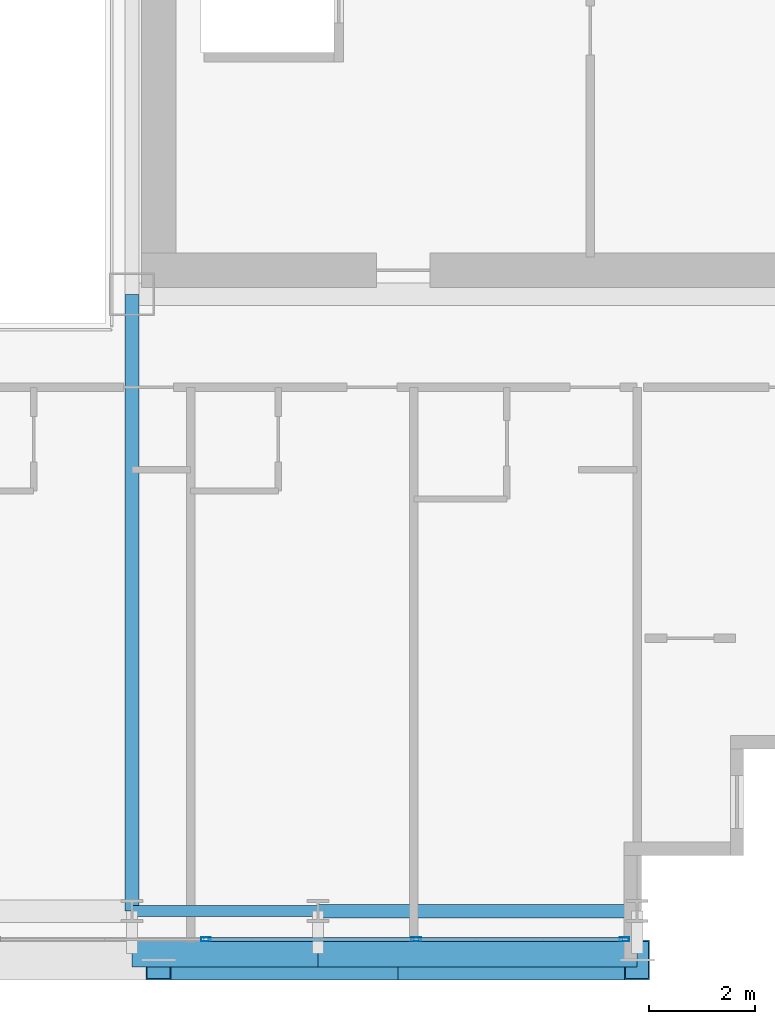
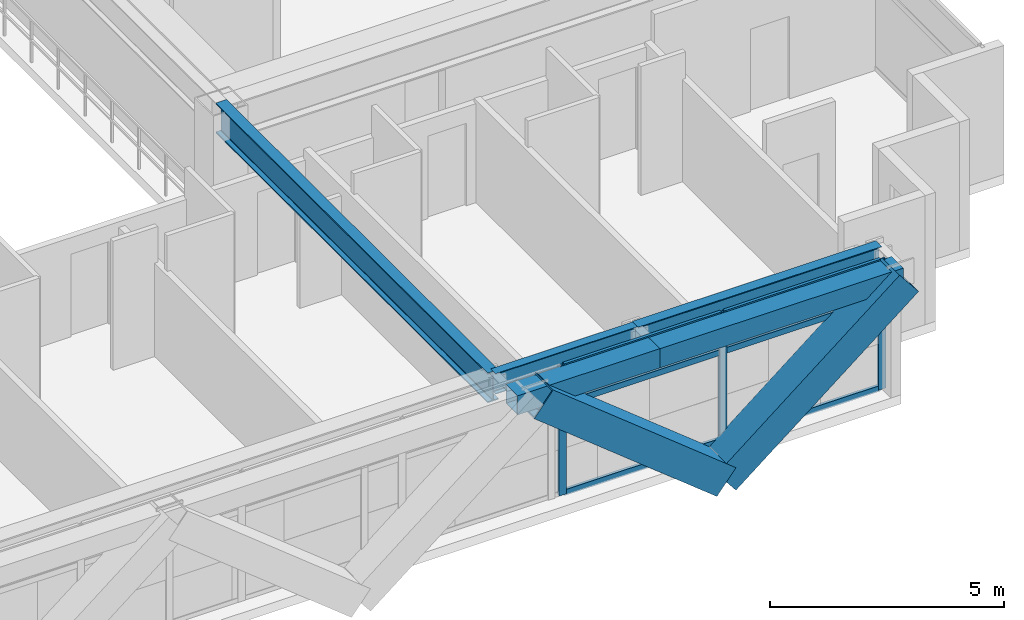
# One storey, part 10 of 35: 11 members, 5 beams, 1 element without a shape of its own.
"""IFC4 building model written with IfcOpenShell, lengths in metres."""

from ifc_helpers import new_model, si_unit, direction, frame, origin, origin_2d, place, context, subcontext, project, spatial, hollow_rectangle, i_section, extrude, source, transform, mapped, material, layer, layer_set, material_profile, profile_set, type_object, element, aggregate, save


model = new_model("IFC4")

# Units and contexts
model_context = context("Model", 3, precision=1e-05, world=origin(), true_north=direction((0.0, 1.0)))
body_context = subcontext(model_context, "Body", "Model", "MODEL_VIEW")
ifc_project = project(units=[si_unit("LENGTHUNIT", "METRE"), si_unit("AREAUNIT", "SQUARE_METRE"), si_unit("VOLUMEUNIT", "CUBIC_METRE"), si_unit("PLANEANGLEUNIT", "RADIAN"), si_unit("MASSUNIT", "GRAM", prefix="KILO")], contexts=[model_context])

# Site, building, storey
site_placement = place(None, origin())
site = spatial("IfcSite", under=ifc_project, at=site_placement, CompositionType="ELEMENT")
building_placement = place(site_placement, origin())
building = spatial("IfcBuilding", under=site, at=building_placement, Name="Ocotamira Hotel", CompositionType="ELEMENT")
storey_placement = place(building_placement, frame((0.0, 0.0, 100.800048828125)))
storey = spatial("IfcBuildingStorey", under=building, at=storey_placement, Name="L24", CompositionType="ELEMENT", Elevation=100.800048828125)

# Beams
ifc_material_1 = material(Name="Steel ASTM A992 Grade 50", Category="steel")
ifc_material_profile_1 = material_profile(ifc_material_1, i_section(OverallWidth=0.256103515625, OverallDepth=0.693115234375, WebThickness=0.014404296875, FlangeThickness=0.023681640625, FilletRadius=0.01611328125, at=origin_2d()), Name="W27X114")
ifc_profile_set_1 = profile_set([ifc_material_profile_1], Name="Steel ASTM A992 Grade 50")
beam_type_1 = type_object("IfcBeamType", Name="BM-PRIM-W27X114", PredefinedType="BEAM", material=ifc_profile_set_1)
shared_shape_1 = source(origin(), body_context, "Body", "SweptSolid", [
    extrude(i_section(OverallWidth=0.256103515625, OverallDepth=0.693115234375, WebThickness=0.014404296875, FlangeThickness=0.023681640625, FilletRadius=0.01611328125, at=origin_2d()), origin(), (0.0, 0.0, 1.0), 6.0),
])
beam_1_placement = place(storey_placement, frame((44.0, 2.949951171875, 3.013427734375), z_axis=(1.0, 0.0, 0.0), x_axis=(0.0, 1.0, 0.0)))
element("IfcBeam", 1, at=beam_1_placement, inside=storey, type_object=beam_type_1, Name="L24 Girder Y2.95 X44-50", PredefinedType="BEAM", context=body_context, shape_type="MappedRepresentation", body=[
    mapped(shared_shape_1, transform((0.0, 0.0, 0.0), scale=1.0)),
])
ifc_material_profile_2 = material_profile(ifc_material_1, i_section(OverallWidth=0.2099609375, OverallDepth=0.537109375, WebThickness=0.010986328125, FlangeThickness=0.017333984375, FilletRadius=0.012939453125, at=origin_2d()), Name="W21X68")
ifc_profile_set_2 = profile_set([ifc_material_profile_2], Name="Steel ASTM A992 Grade 50")
beam_type_2 = type_object("IfcBeamType", Name="BM-SEC-W21X68", PredefinedType="JOIST", material=ifc_profile_set_2)
shared_shape_2 = source(origin(), body_context, "Body", "SweptSolid", [
    extrude(i_section(OverallWidth=0.2099609375, OverallDepth=0.537109375, WebThickness=0.010986328125, FlangeThickness=0.017333984375, FilletRadius=0.012939453125, at=origin_2d()), origin(), (0.0, 0.0, 1.0), 3.5),
])
beam_2_placement = place(storey_placement, frame((40.5, 2.949951171875, 3.091552734375), z_axis=(1.0, 0.0, 0.0), x_axis=(0.0, 1.0, 0.0)))
element("IfcBeam", 2, at=beam_2_placement, inside=storey, type_object=beam_type_2, Name="L24 Girder Y2.95 X40.5-44", PredefinedType="JOIST", context=body_context, shape_type="MappedRepresentation", body=[
    mapped(shared_shape_2, transform((0.0, 0.0, 0.0), scale=1.0)),
])
ifc_material_profile_3 = material_profile(ifc_material_1, i_section(OverallWidth=0.26611328125, OverallDepth=0.779052734375, WebThickness=0.0166015625, FlangeThickness=0.030029296875, FilletRadius=0.01806640625, at=origin_2d()), Name="W30X148")
ifc_profile_set_3 = profile_set([ifc_material_profile_3], Name="Steel ASTM A992 Grade 50")
beam_type_3 = type_object("IfcBeamType", Name="BM-GIRD-W30X148", PredefinedType="BEAM", material=ifc_profile_set_3)
shared_shape_3 = source(origin(), body_context, "Body", "SweptSolid", [
    extrude(i_section(OverallWidth=0.26611328125, OverallDepth=0.779052734375, WebThickness=0.0166015625, FlangeThickness=0.030029296875, FilletRadius=0.01806640625, at=origin_2d()), origin(), (0.0, 0.0, 1.0), 11.60009765625),
])
beam_3_placement = place(storey_placement, frame((40.5, 2.949951171875, 2.970458984375), z_axis=(0.0, 1.0, 0.0), x_axis=(-1.0, 0.0, 0.0)))
element("IfcBeam", 3, at=beam_3_placement, inside=storey, type_object=beam_type_3, Name="L24 Beam X40.5 Y2.95-14.55", PredefinedType="BEAM", context=body_context, shape_type="MappedRepresentation", body=[
    mapped(shared_shape_3, transform((0.0, 0.0, 0.0), scale=1.0)),
])
ifc_material_2 = material(Name="Steel ASTM A500 Grade C", Category="steel")
ifc_material_profile_4 = material_profile(ifc_material_2, hollow_rectangle(XDim=0.5, YDim=0.5, WallThickness=0.02001953125, at=origin_2d()), Name="HSS500X500X20")
ifc_profile_set_4 = profile_set([ifc_material_profile_4], Name="Steel ASTM A500 Grade C")
beam_type_4 = type_object("IfcBeamType", Name="BM-SPAN-HSS500", PredefinedType="USERDEFINED", material=ifc_profile_set_4)
shared_shape_4 = source(origin(), body_context, "Body", "SweptSolid", [
    extrude(hollow_rectangle(XDim=0.5, YDim=0.5, WallThickness=0.02001953125, at=origin_2d()), origin(), (0.0, 0.0, 1.0), 6.0),
])
beam_4_placement = place(storey_placement, frame((44.0, 2.14990234375, 3.10986328125), z_axis=(1.0, 0.0, 0.0), x_axis=(0.0, 1.0, 0.0)))
element("IfcBeam", 4, at=beam_4_placement, inside=storey, type_object=beam_type_4, Name="L24 Edge Spandrel S X44-50", ObjectType="SPANDREL", PredefinedType="USERDEFINED", context=body_context, shape_type="MappedRepresentation", body=[
    mapped(shared_shape_4, transform((0.0, 0.0, 0.0), scale=1.0)),
])
shared_shape_5 = source(origin(), body_context, "Body", "SweptSolid", [
    extrude(hollow_rectangle(XDim=0.5, YDim=0.5, WallThickness=0.02001953125, at=origin_2d()), origin(), (0.0, 0.0, 1.0), 3.5),
])
beam_5_placement = place(storey_placement, frame((40.5, 2.14990234375, 3.10986328125), z_axis=(1.0, 0.0, 0.0), x_axis=(0.0, 1.0, 0.0)))
element("IfcBeam", 5, at=beam_5_placement, inside=storey, type_object=beam_type_4, Name="L24 Edge Spandrel S X40.5-44", ObjectType="SPANDREL", PredefinedType="USERDEFINED", context=body_context, shape_type="MappedRepresentation", body=[
    mapped(shared_shape_5, transform((0.0, 0.0, 0.0), scale=1.0)),
])

# Members
ifc_material_3 = material(Name="Pale-metal coated steel ASTM A913 Grade 65", Category="steel")
ifc_material_profile_5 = material_profile(ifc_material_3, hollow_rectangle(XDim=0.75, YDim=0.75, WallThickness=0.028076171875, at=origin_2d()), Name="BOX750X750X28")
ifc_profile_set_5 = profile_set([ifc_material_profile_5], Name="Pale-metal coated steel ASTM A913 Grade 65")
member_type_1 = type_object("IfcMemberType", Name="MEM-EXO-BOX750", PredefinedType="BRACE", material=ifc_profile_set_5)
shared_shape_6 = source(origin(), body_context, "Body", "SweptSolid", [
    extrude(hollow_rectangle(XDim=0.75, YDim=0.75, WallThickness=0.028076171875, at=origin_2d()), origin(), (0.0, 0.0, 1.0), 5.7626953125),
])
for number, where, z_axis, x_axis, name in (
    (6, (45.5, 2.030029296875, -0.489990234375), (-0.780881208953, 0.0, 0.624679547852), (0.0, -1.0, 0.0), "L24 Exoskeleton Diagrid S3.1"),
    (7, (45.5, 2.030029296875, -0.489990234375), (0.780881208953, 0.0, 0.624679547852), (0.0, 1.0, 0.0), "L24 Exoskeleton Diagrid S3.2"),
):
    element("IfcMember", number, at=place(storey_placement, frame(where, z_axis=z_axis, x_axis=x_axis)), inside=storey, type_object=member_type_1, Name=name, PredefinedType="BRACE", context=body_context, shape_type="MappedRepresentation", body=[
        mapped(shared_shape_6, transform((0.0, 0.0, 0.0), scale=1.0)),
    ])

# Curtain wall, members
ifc_material_4 = material(Name="Anodised pale-metal aluminium and solar glass", Category="aluminium")
ifc_layer = layer(ifc_material_4, 0.179931640625)
ifc_layer_set = layer_set([ifc_layer], Name="Anodised pale-metal aluminium and solar glass")
curtain_wall_type = type_object("IfcCurtainWallType", Name="CW-SYS3-Z2", PredefinedType="NOTDEFINED", material=ifc_layer_set)
curtain_wall_placement = place(storey_placement, origin())
curtain_wall = element("IfcCurtainWall", 8, at=curtain_wall_placement, inside=storey, type_object=curtain_wall_type, Name="L24 Curtain Wall CW-3 CW-L24-S1", PredefinedType="NOTDEFINED")
ifc_material_5 = material(Name="Anodised pale-metal aluminium 6063-T6", Category="aluminium")
ifc_material_profile_6 = material_profile(ifc_material_5, hollow_rectangle(XDim=0.074951171875, YDim=0.14990234375, WallThickness=0.006103515625, at=origin_2d()), Name="HSS150X75X6")
ifc_profile_set_6 = profile_set([ifc_material_profile_6], Name="Anodised pale-metal aluminium 6063-T6")
member_type_2 = type_object("IfcMemberType", Name="CWT-150X75", PredefinedType="USERDEFINED", material=ifc_profile_set_6)
shared_shape_7 = source(origin(), body_context, "Body", "SweptSolid", [
    extrude(hollow_rectangle(XDim=0.074951171875, YDim=0.14990234375, WallThickness=0.006103515625, at=origin_2d()), origin(), (0.0, 0.0, 1.0), 3.83544921875),
])
member_1_placement = place(storey_placement, frame((45.884521484375, 2.419921875, 0.037353515625), z_axis=(1.0, 0.0, 0.0), x_axis=(0.0, 1.0, 0.0)))
member_1 = element("IfcMember", 9, at=member_1_placement, type_object=member_type_2, Name="CW-3 transom 9.1", ObjectType="TRANSOM", PredefinedType="USERDEFINED", context=body_context, shape_type="MappedRepresentation", body=[
    mapped(shared_shape_7, transform((0.0, 0.0, 0.0), scale=1.0)),
])
member_2_placement = place(storey_placement, frame((45.884521484375, 2.419921875, 2.349853515625), z_axis=(1.0, 0.0, 0.0), x_axis=(0.0, 1.0, 0.0)))
member_2 = element("IfcMember", 10, at=member_2_placement, type_object=member_type_2, Name="CW-3 transom 9.2", ObjectType="TRANSOM", PredefinedType="USERDEFINED", context=body_context, shape_type="MappedRepresentation", body=[
    mapped(shared_shape_7, transform((0.0, 0.0, 0.0), scale=1.0)),
])
member_3_placement = place(storey_placement, frame((45.884521484375, 2.419921875, 3.322509765625), z_axis=(1.0, 0.0, 0.0), x_axis=(0.0, 1.0, 0.0)))
member_3 = element("IfcMember", 11, at=member_3_placement, type_object=member_type_2, Name="CW-3 transom 9.3", ObjectType="TRANSOM", PredefinedType="USERDEFINED", context=body_context, shape_type="MappedRepresentation", body=[
    mapped(shared_shape_7, transform((0.0, 0.0, 0.0), scale=1.0)),
])
shared_shape_8 = source(origin(), body_context, "Body", "SweptSolid", [
    extrude(hollow_rectangle(XDim=0.074951171875, YDim=0.14990234375, WallThickness=0.006103515625, at=origin_2d()), origin(), (0.0, 0.0, 1.0), 3.87548828125),
])
member_4_placement = place(storey_placement, frame((41.928955078125, 2.419921875, 0.037353515625), z_axis=(1.0, 0.0, 0.0), x_axis=(0.0, 1.0, 0.0)))
member_4 = element("IfcMember", 12, at=member_4_placement, type_object=member_type_2, Name="CW-3 transom 8.1", ObjectType="TRANSOM", PredefinedType="USERDEFINED", context=body_context, shape_type="MappedRepresentation", body=[
    mapped(shared_shape_8, transform((0.0, 0.0, 0.0), scale=1.0)),
])
member_5_placement = place(storey_placement, frame((41.928955078125, 2.419921875, 2.349853515625), z_axis=(1.0, 0.0, 0.0), x_axis=(0.0, 1.0, 0.0)))
member_5 = element("IfcMember", 13, at=member_5_placement, type_object=member_type_2, Name="CW-3 transom 8.2", ObjectType="TRANSOM", PredefinedType="USERDEFINED", context=body_context, shape_type="MappedRepresentation", body=[
    mapped(shared_shape_8, transform((0.0, 0.0, 0.0), scale=1.0)),
])
member_6_placement = place(storey_placement, frame((41.928955078125, 2.419921875, 3.322509765625), z_axis=(1.0, 0.0, 0.0), x_axis=(0.0, 1.0, 0.0)))
member_6 = element("IfcMember", 14, at=member_6_placement, type_object=member_type_2, Name="CW-3 transom 8.3", ObjectType="TRANSOM", PredefinedType="USERDEFINED", context=body_context, shape_type="MappedRepresentation", body=[
    mapped(shared_shape_8, transform((0.0, 0.0, 0.0), scale=1.0)),
])
ifc_material_profile_7 = material_profile(ifc_material_5, hollow_rectangle(XDim=0.080078125, YDim=0.179931640625, WallThickness=0.006103515625, at=origin_2d()), Name="HSS180X80X6")
ifc_profile_set_7 = profile_set([ifc_material_profile_7], Name="Anodised pale-metal aluminium 6063-T6")
member_type_3 = type_object("IfcMemberType", Name="CWM-180X75", PredefinedType="MULLION", material=ifc_profile_set_7)
shared_shape_9 = source(origin(), body_context, "Body", "SweptSolid", [
    extrude(hollow_rectangle(XDim=0.080078125, YDim=0.179931640625, WallThickness=0.006103515625, at=origin_2d()), origin(), (0.0, 0.0, 1.0), 3.35986328125),
])
member_7_placement = place(storey_placement, frame((41.888916015625, 2.419921875, 0.0), z_axis=(0.0, 0.0, 1.0), x_axis=(0.0, 1.0, 0.0)))
member_7 = element("IfcMember", 15, at=member_7_placement, type_object=member_type_3, Name="CW-3 mullion 8", PredefinedType="MULLION", context=body_context, shape_type="MappedRepresentation", body=[
    mapped(shared_shape_9, transform((0.0, 0.0, 0.0), scale=1.0)),
])
member_8_placement = place(storey_placement, frame((45.844482421875, 2.419921875, 0.0), z_axis=(0.0, 0.0, 1.0), x_axis=(0.0, 1.0, 0.0)))
member_8 = element("IfcMember", 16, at=member_8_placement, type_object=member_type_3, Name="CW-3 mullion 9", PredefinedType="MULLION", context=body_context, shape_type="MappedRepresentation", body=[
    mapped(shared_shape_9, transform((0.0, 0.0, 0.0), scale=1.0)),
])
member_9_placement = place(storey_placement, frame((49.760009765625, 2.419921875, 0.0), z_axis=(0.0, 0.0, 1.0), x_axis=(0.0, 1.0, 0.0)))
member_9 = element("IfcMember", 17, at=member_9_placement, type_object=member_type_3, Name="CW-3 mullion 10", PredefinedType="MULLION", context=body_context, shape_type="MappedRepresentation", body=[
    mapped(shared_shape_9, transform((0.0, 0.0, 0.0), scale=1.0)),
])
aggregate(curtain_wall, [member_7, member_8, member_9, member_4, member_5, member_6, member_1, member_2, member_3])

save(model, "model.ifc")
